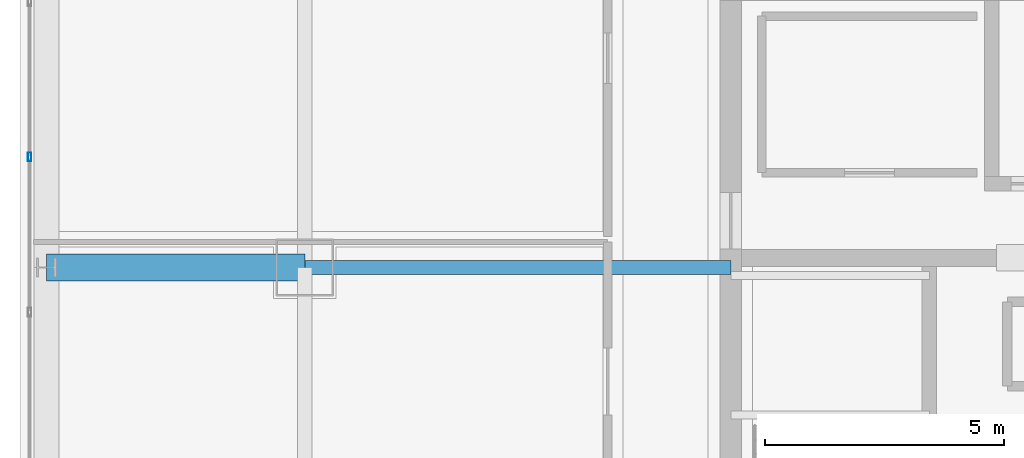
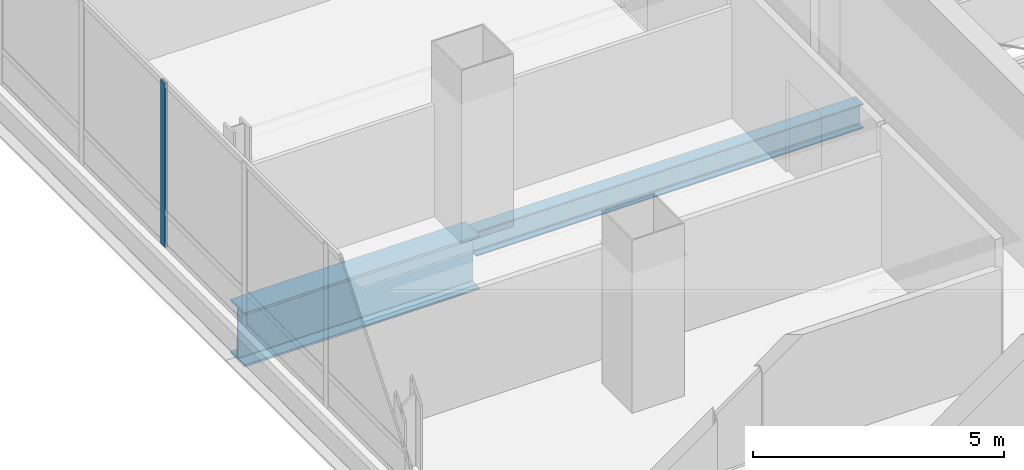
# One storey, part 14 of 42: 2 beams, 1 member, 1 element without a shape of its own.
"""IFC4 building model written with IfcOpenShell, lengths in metres."""

from ifc_helpers import new_model, si_unit, direction, frame, origin, origin_2d, place, context, subcontext, project, spatial, hollow_rectangle, i_section, extrude, material, material_profile, profile_set, type_object, element, aggregate, save


model = new_model("IFC4")

# Units and contexts
model_context = context("Model", 3, precision=1e-05, world=origin(), true_north=direction((0.0, 1.0)))
body_context = subcontext(model_context, "Body", "Model", "MODEL_VIEW")
ifc_project = project(units=[si_unit("LENGTHUNIT", "METRE"), si_unit("AREAUNIT", "SQUARE_METRE"), si_unit("VOLUMEUNIT", "CUBIC_METRE"), si_unit("PLANEANGLEUNIT", "RADIAN"), si_unit("MASSUNIT", "GRAM", prefix="KILO")], contexts=[model_context])

# Site, building, storey
site_placement = place(None, origin())
site = spatial("IfcSite", under=ifc_project, at=site_placement, CompositionType="ELEMENT")
building_placement = place(site_placement, origin())
building = spatial("IfcBuilding", under=site, at=building_placement, Name="Punatoya Terracotta Tower", CompositionType="ELEMENT")
storey_placement = place(building_placement, frame((0.0, 0.0, 325.800048828125)))
storey = spatial("IfcBuildingStorey", under=building, at=storey_placement, Name="L77", CompositionType="ELEMENT", Elevation=325.800048828125)

# Beams
ifc_material_1 = material(Name="Steel S355", Category="steel")
ifc_material_profile_1 = material_profile(ifc_material_1, i_section(OverallWidth=0.300048828125, OverallDepth=0.60009765625, WebThickness=0.015380859375, FlangeThickness=0.030029296875, FilletRadius=0.01806640625, at=origin_2d()))
ifc_profile_set_1 = profile_set([ifc_material_profile_1], Name="Steel S355")
beam_type_1 = type_object("IfcBeamType", Name="BM-PRI-600", PredefinedType="BEAM", material=ifc_profile_set_1)
beam_1_placement = place(storey_placement, frame((-19.10009765625, 3.39990234375, -0.5), z_axis=(1.0, 0.0, 0.0), x_axis=(0.0, 1.0, 0.0)))
element("IfcBeam", 1, at=beam_1_placement, inside=storey, type_object=beam_type_1, Name="BM-L77-PR-WE", PredefinedType="BEAM", context=body_context, shape_type="SweptSolid", body=[
    extrude(i_section(OverallWidth=0.300048828125, OverallDepth=0.60009765625, WebThickness=0.015380859375, FlangeThickness=0.030029296875, FilletRadius=0.01806640625, at=origin_2d()), origin(), (0.0, 0.0, 1.0), 8.900146484375),
])
ifc_material_2 = material(Name="Steel S460", Category="steel")
ifc_material_profile_2 = material_profile(ifc_material_2, i_section(OverallWidth=0.56005859375, OverallDepth=1.320068359375, WebThickness=0.035888671875, FlangeThickness=0.054931640625, FilletRadius=0.01806640625, at=origin_2d()))
ifc_profile_set_2 = profile_set([ifc_material_profile_2], Name="Steel S460")
beam_type_2 = type_object("IfcBeamType", Name="BM-TG-BLK", PredefinedType="BEAM", material=ifc_profile_set_2)
beam_2_placement = place(storey_placement, frame((-24.5, 3.39990234375, -0.860107421875), z_axis=(1.0, 0.0, 0.0), x_axis=(0.0, 1.0, 0.0)))
element("IfcBeam", 2, at=beam_2_placement, inside=storey, type_object=beam_type_2, Name="BM-L77-CANT-W3", PredefinedType="BEAM", context=body_context, shape_type="SweptSolid", body=[
    extrude(i_section(OverallWidth=0.56005859375, OverallDepth=1.320068359375, WebThickness=0.035888671875, FlangeThickness=0.054931640625, FilletRadius=0.01806640625, at=origin_2d()), origin(), (0.0, 0.0, 1.0), 5.39990234375),
])

# Curtain wall, member
ifc_material_3 = material(Name="Aluminium 6063-T6 + Double Low-E Glass", Category="aluminium")
curtain_wall_type = type_object("IfcCurtainWallType", Name="CW-OBS", PredefinedType="NOTDEFINED", material=ifc_material_3)
curtain_wall_placement = place(storey_placement, origin())
curtain_wall = element("IfcCurtainWall", 3, at=curtain_wall_placement, inside=storey, type_object=curtain_wall_type, Name="L77 Curtain Wall CW-L77-W13-1", PredefinedType="NOTDEFINED")
ifc_material_4 = material(Name="Aluminium 6063-T6", Category="aluminium")
ifc_material_profile_3 = material_profile(ifc_material_4, hollow_rectangle(XDim=0.070068359375, YDim=0.179931640625, WallThickness=0.00390625, at=origin_2d()))
ifc_profile_set_3 = profile_set([ifc_material_profile_3], Name="Aluminium 6063-T6")
member_type = type_object("IfcMemberType", Name="CW-MUL-M3", PredefinedType="MULLION", material=ifc_profile_set_3)
member_placement = place(storey_placement, frame((-24.85009765625, 5.707763671875, 0.0), z_axis=(0.0, 0.0, 1.0), x_axis=(1.0, 0.0, 0.0)))
member = element("IfcMember", 4, at=member_placement, type_object=member_type, Name="CW-L77-W13-1 Mullion 03", PredefinedType="MULLION", context=body_context, shape_type="SweptSolid", body=[
    extrude(hollow_rectangle(XDim=0.070068359375, YDim=0.179931640625, WallThickness=0.00390625, at=origin_2d()), origin(), (0.0, 0.0, 1.0), 4.0),
])
aggregate(curtain_wall, [member])

save(model, "model.ifc")
